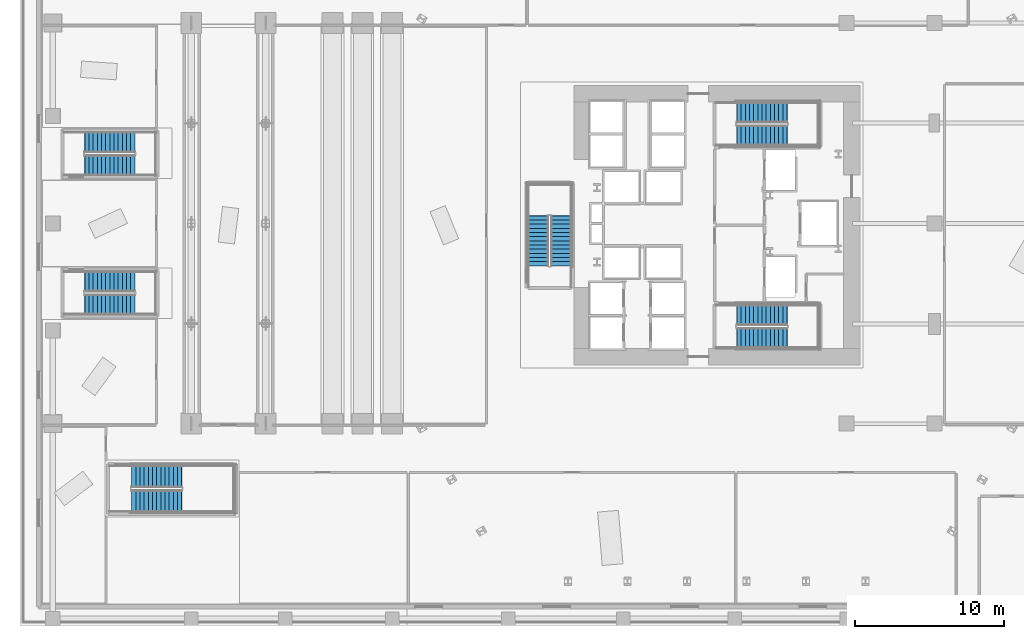
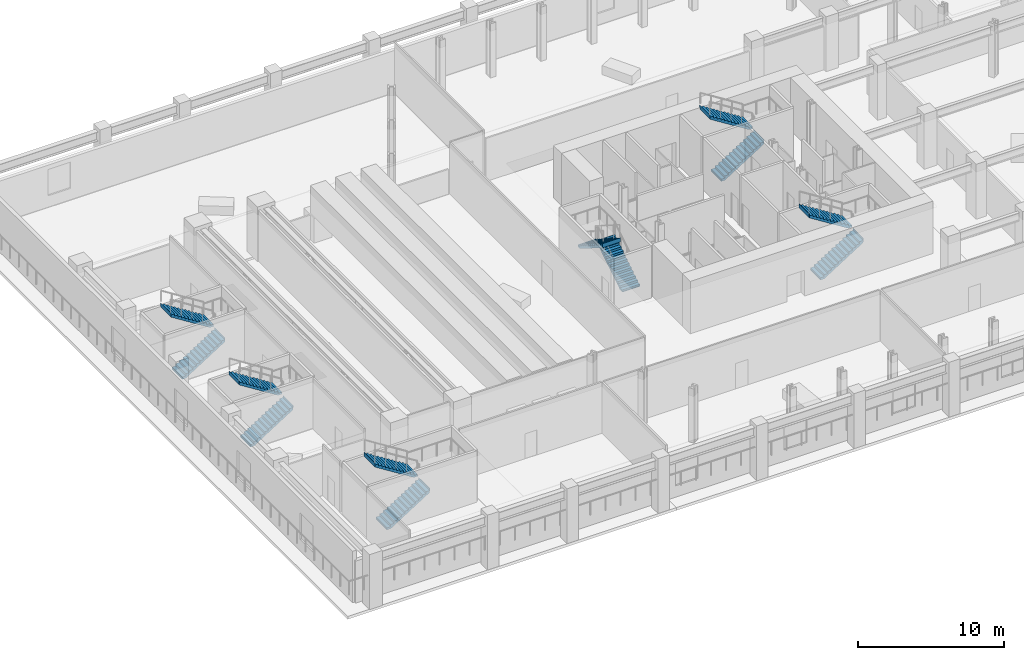
# One storey, part 12 of 24: 12 stair flights, 6 elements without a shape of their own.
"""IFC4 building model written with IfcOpenShell, lengths in metres."""

from ifc_helpers import new_model, si_unit, direction, frame, origin, place, context, subcontext, project, spatial, polyline, outline, extrude, material, type_object, element, aggregate, save


model = new_model("IFC4")

# Units and contexts
model_context = context("Model", 3, precision=1e-05, world=origin(), true_north=direction((0.0, 1.0)))
body_context = subcontext(model_context, "Body", "Model", "MODEL_VIEW")
ifc_project = project(units=[si_unit("LENGTHUNIT", "METRE"), si_unit("AREAUNIT", "SQUARE_METRE"), si_unit("VOLUMEUNIT", "CUBIC_METRE"), si_unit("PLANEANGLEUNIT", "RADIAN"), si_unit("MASSUNIT", "GRAM", prefix="KILO")], contexts=[model_context])

# Site, building, storey
site_placement = place(None, origin())
site = spatial("IfcSite", under=ifc_project, at=site_placement, CompositionType="ELEMENT")
building_placement = place(site_placement, origin())
building = spatial("IfcBuilding", under=site, at=building_placement, Name="Valkerne Bourse Tower", CompositionType="ELEMENT")
storey_placement = place(building_placement, frame((0.0, 0.0, 19.39990234375)))
storey = spatial("IfcBuildingStorey", under=building, at=storey_placement, Name="L04", CompositionType="ELEMENT", Elevation=19.39990234375)

# Stair, stair flights
ifc_material_1 = material(Name="Concrete C40/50", Category="concrete")
stair_type_1 = type_object("IfcStairType", Name="ST-CORE-1400", PredefinedType="HALF_TURN_STAIR", material=ifc_material_1)
stair_1_placement = place(storey_placement, origin())
stair_1 = element("IfcStair", 1, at=stair_1_placement, inside=storey, type_object=stair_type_1, Name="L04 ST-1", PredefinedType="HALF_TURN_STAIR")
stair_flight_type_1 = type_object("IfcStairFlightType", Name="STF-CORE-1400", PredefinedType="STRAIGHT", material=ifc_material_1)
stair_flight_1_placement = place(storey_placement, frame((48.14990234375, 19.300048828125, 0.0), z_axis=(0.0, 0.0, 1.0), x_axis=(1.0, 0.0, 0.0)))
stair_flight_1 = element("IfcStairFlight", 2, at=stair_flight_1_placement, type_object=stair_flight_type_1, Name="ST-1 flight 1", NumberOfRisers=13, NumberOfTreads=12, PredefinedType="STRAIGHT", RiserHeight=0.176923077, TreadLength=0.28, context=body_context, shape_type="SweptSolid", body=[
    extrude(outline(polyline([(-0.02001953125, 0.0), (-0.02001953125, 0.044921875), (0.0, 0.044921875), (0.0, 0.177001953125), (0.280029296875, 0.177001953125), (0.280029296875, 0.353759765625), (0.56005859375, 0.353759765625), (0.56005859375, 0.53076171875), (0.840087890625, 0.53076171875), (0.840087890625, 0.707763671875), (1.1201171875, 0.707763671875), (1.1201171875, 0.884521484375), (1.39990234375, 0.884521484375), (1.39990234375, 1.0615234375), (1.679931640625, 1.0615234375), (1.679931640625, 1.238525390625), (1.9599609375, 1.238525390625), (1.9599609375, 1.415283203125), (2.239990234375, 1.415283203125), (2.239990234375, 1.59228515625), (2.52001953125, 1.59228515625), (2.52001953125, 1.769287109375), (2.800048828125, 1.769287109375), (2.800048828125, 1.946044921875), (3.080078125, 1.946044921875), (3.080078125, 2.123046875), (3.360107421875, 2.123046875), (3.360107421875, 2.300048828125), (3.3798828125, 2.300048828125), (3.3798828125, 2.179931640625), (3.360107421875, 1.94580078125), (0.280517578125, 0.0), (-0.02001953125, 0.0)])), frame((0.0, 0.699951171875, 0.0), z_axis=(0.0, -1.0, 0.0), x_axis=(1.0, 0.0, 0.0)), (0.0, 0.0, 1.0), 1.39990234375),
])
stair_flight_2_placement = place(storey_placement, frame((51.510009765625, 20.85009765625, 2.300048828125), z_axis=(0.0, 0.0, 1.0), x_axis=(-1.0, 0.0, 0.0)))
stair_flight_2 = element("IfcStairFlight", 3, at=stair_flight_2_placement, type_object=stair_flight_type_1, Name="ST-1 flight 2", NumberOfRisers=13, NumberOfTreads=12, PredefinedType="STRAIGHT", RiserHeight=0.176923077, TreadLength=0.28, context=body_context, shape_type="SweptSolid", body=[
    extrude(outline(polyline([(-0.02001953125, 0.0), (-0.02001953125, 0.044921875), (0.0, 0.044921875), (0.0, 0.177001953125), (0.280029296875, 0.177001953125), (0.280029296875, 0.353759765625), (0.56005859375, 0.353759765625), (0.56005859375, 0.53076171875), (0.840087890625, 0.53076171875), (0.840087890625, 0.707763671875), (1.1201171875, 0.707763671875), (1.1201171875, 0.884521484375), (1.39990234375, 0.884521484375), (1.39990234375, 1.0615234375), (1.679931640625, 1.0615234375), (1.679931640625, 1.238525390625), (1.9599609375, 1.238525390625), (1.9599609375, 1.415283203125), (2.239990234375, 1.415283203125), (2.239990234375, 1.59228515625), (2.52001953125, 1.59228515625), (2.52001953125, 1.769287109375), (2.800048828125, 1.769287109375), (2.800048828125, 1.946044921875), (3.080078125, 1.946044921875), (3.080078125, 2.123046875), (3.360107421875, 2.123046875), (3.360107421875, 2.300048828125), (3.3798828125, 2.300048828125), (3.3798828125, 2.179931640625), (3.360107421875, 1.94580078125), (0.280517578125, 0.0), (-0.02001953125, 0.0)])), frame((0.0, 0.699951171875, 0.0), z_axis=(0.0, -1.0, 0.0), x_axis=(1.0, 0.0, 0.0)), (0.0, 0.0, 1.0), 1.39990234375),
])
aggregate(stair_1, [stair_flight_1, stair_flight_2])

stair_2_placement = place(storey_placement, origin())
stair_2 = element("IfcStair", 4, at=stair_2_placement, inside=storey, type_object=stair_type_1, Name="L04 ST-2", PredefinedType="HALF_TURN_STAIR")
stair_flight_3_placement = place(storey_placement, frame((48.14990234375, 32.89990234375, 0.0), z_axis=(0.0, 0.0, 1.0), x_axis=(1.0, 0.0, 0.0)))
stair_flight_3 = element("IfcStairFlight", 5, at=stair_flight_3_placement, type_object=stair_flight_type_1, Name="ST-2 flight 1", NumberOfRisers=13, NumberOfTreads=12, PredefinedType="STRAIGHT", RiserHeight=0.176923077, TreadLength=0.28, context=body_context, shape_type="SweptSolid", body=[
    extrude(outline(polyline([(-0.02001953125, 0.0), (-0.02001953125, 0.044921875), (0.0, 0.044921875), (0.0, 0.177001953125), (0.280029296875, 0.177001953125), (0.280029296875, 0.353759765625), (0.56005859375, 0.353759765625), (0.56005859375, 0.53076171875), (0.840087890625, 0.53076171875), (0.840087890625, 0.707763671875), (1.1201171875, 0.707763671875), (1.1201171875, 0.884521484375), (1.39990234375, 0.884521484375), (1.39990234375, 1.0615234375), (1.679931640625, 1.0615234375), (1.679931640625, 1.238525390625), (1.9599609375, 1.238525390625), (1.9599609375, 1.415283203125), (2.239990234375, 1.415283203125), (2.239990234375, 1.59228515625), (2.52001953125, 1.59228515625), (2.52001953125, 1.769287109375), (2.800048828125, 1.769287109375), (2.800048828125, 1.946044921875), (3.080078125, 1.946044921875), (3.080078125, 2.123046875), (3.360107421875, 2.123046875), (3.360107421875, 2.300048828125), (3.3798828125, 2.300048828125), (3.3798828125, 2.179931640625), (3.360107421875, 1.94580078125), (0.280517578125, 0.0), (-0.02001953125, 0.0)])), frame((0.0, 0.699951171875, 0.0), z_axis=(0.0, -1.0, 0.0), x_axis=(1.0, 0.0, 0.0)), (0.0, 0.0, 1.0), 1.39990234375),
])
stair_flight_4_placement = place(storey_placement, frame((51.510009765625, 34.449951171875, 2.300048828125), z_axis=(0.0, 0.0, 1.0), x_axis=(-1.0, 0.0, 0.0)))
stair_flight_4 = element("IfcStairFlight", 6, at=stair_flight_4_placement, type_object=stair_flight_type_1, Name="ST-2 flight 2", NumberOfRisers=13, NumberOfTreads=12, PredefinedType="STRAIGHT", RiserHeight=0.176923077, TreadLength=0.28, context=body_context, shape_type="SweptSolid", body=[
    extrude(outline(polyline([(-0.02001953125, 0.0), (-0.02001953125, 0.044921875), (0.0, 0.044921875), (0.0, 0.177001953125), (0.280029296875, 0.177001953125), (0.280029296875, 0.353759765625), (0.56005859375, 0.353759765625), (0.56005859375, 0.53076171875), (0.840087890625, 0.53076171875), (0.840087890625, 0.707763671875), (1.1201171875, 0.707763671875), (1.1201171875, 0.884521484375), (1.39990234375, 0.884521484375), (1.39990234375, 1.0615234375), (1.679931640625, 1.0615234375), (1.679931640625, 1.238525390625), (1.9599609375, 1.238525390625), (1.9599609375, 1.415283203125), (2.239990234375, 1.415283203125), (2.239990234375, 1.59228515625), (2.52001953125, 1.59228515625), (2.52001953125, 1.769287109375), (2.800048828125, 1.769287109375), (2.800048828125, 1.946044921875), (3.080078125, 1.946044921875), (3.080078125, 2.123046875), (3.360107421875, 2.123046875), (3.360107421875, 2.300048828125), (3.3798828125, 2.300048828125), (3.3798828125, 2.179931640625), (3.360107421875, 1.94580078125), (0.280517578125, 0.0), (-0.02001953125, 0.0)])), frame((0.0, 0.699951171875, 0.0), z_axis=(0.0, -1.0, 0.0), x_axis=(1.0, 0.0, 0.0)), (0.0, 0.0, 1.0), 1.39990234375),
])
aggregate(stair_2, [stair_flight_3, stair_flight_4])

stair_3_placement = place(storey_placement, origin())
stair_3 = element("IfcStair", 7, at=stair_3_placement, inside=storey, type_object=stair_type_1, Name="L04 ST-3", PredefinedType="HALF_TURN_STAIR")
stair_flight_5_placement = place(storey_placement, frame((36.35009765625, 24.14990234375, 0.0), z_axis=(0.0, 0.0, 1.0), x_axis=(0.0, 1.0, 0.0)))
stair_flight_5 = element("IfcStairFlight", 8, at=stair_flight_5_placement, type_object=stair_flight_type_1, Name="ST-3 flight 1", NumberOfRisers=13, NumberOfTreads=12, PredefinedType="STRAIGHT", RiserHeight=0.176923077, TreadLength=0.28, context=body_context, shape_type="SweptSolid", body=[
    extrude(outline(polyline([(-0.02001953125, 0.0), (-0.02001953125, 0.044921875), (0.0, 0.044921875), (0.0, 0.177001953125), (0.280029296875, 0.177001953125), (0.280029296875, 0.353759765625), (0.56005859375, 0.353759765625), (0.56005859375, 0.53076171875), (0.840087890625, 0.53076171875), (0.840087890625, 0.707763671875), (1.1201171875, 0.707763671875), (1.1201171875, 0.884521484375), (1.39990234375, 0.884521484375), (1.39990234375, 1.0615234375), (1.679931640625, 1.0615234375), (1.679931640625, 1.238525390625), (1.9599609375, 1.238525390625), (1.9599609375, 1.415283203125), (2.239990234375, 1.415283203125), (2.239990234375, 1.59228515625), (2.52001953125, 1.59228515625), (2.52001953125, 1.769287109375), (2.800048828125, 1.769287109375), (2.800048828125, 1.946044921875), (3.080078125, 1.946044921875), (3.080078125, 2.123046875), (3.360107421875, 2.123046875), (3.360107421875, 2.300048828125), (3.3798828125, 2.300048828125), (3.3798828125, 2.179931640625), (3.360107421875, 1.94580078125), (0.280517578125, 0.0), (-0.02001953125, 0.0)])), frame((0.0, 0.699951171875, 0.0), z_axis=(0.0, -1.0, 0.0), x_axis=(1.0, 0.0, 0.0)), (0.0, 0.0, 1.0), 1.39990234375),
])
stair_flight_6_placement = place(storey_placement, frame((34.800048828125, 27.510009765625, 2.300048828125), z_axis=(0.0, 0.0, 1.0), x_axis=(0.0, -1.0, 0.0)))
stair_flight_6 = element("IfcStairFlight", 9, at=stair_flight_6_placement, type_object=stair_flight_type_1, Name="ST-3 flight 2", NumberOfRisers=13, NumberOfTreads=12, PredefinedType="STRAIGHT", RiserHeight=0.176923077, TreadLength=0.28, context=body_context, shape_type="SweptSolid", body=[
    extrude(outline(polyline([(-0.02001953125, 0.0), (-0.02001953125, 0.044921875), (0.0, 0.044921875), (0.0, 0.177001953125), (0.280029296875, 0.177001953125), (0.280029296875, 0.353759765625), (0.56005859375, 0.353759765625), (0.56005859375, 0.53076171875), (0.840087890625, 0.53076171875), (0.840087890625, 0.707763671875), (1.1201171875, 0.707763671875), (1.1201171875, 0.884521484375), (1.39990234375, 0.884521484375), (1.39990234375, 1.0615234375), (1.679931640625, 1.0615234375), (1.679931640625, 1.238525390625), (1.9599609375, 1.238525390625), (1.9599609375, 1.415283203125), (2.239990234375, 1.415283203125), (2.239990234375, 1.59228515625), (2.52001953125, 1.59228515625), (2.52001953125, 1.769287109375), (2.800048828125, 1.769287109375), (2.800048828125, 1.946044921875), (3.080078125, 1.946044921875), (3.080078125, 2.123046875), (3.360107421875, 2.123046875), (3.360107421875, 2.300048828125), (3.3798828125, 2.300048828125), (3.3798828125, 2.179931640625), (3.360107421875, 1.94580078125), (0.280517578125, 0.0), (-0.02001953125, 0.0)])), frame((0.0, 0.699951171875, 0.0), z_axis=(0.0, -1.0, 0.0), x_axis=(1.0, 0.0, 0.0)), (0.0, 0.0, 1.0), 1.39990234375),
])
aggregate(stair_3, [stair_flight_5, stair_flight_6])

ifc_material_2 = material(Name="Indiana Limestone Cladding", Category="masonry")
stair_type_2 = type_object("IfcStairType", Name="ST-GDN-1300", PredefinedType="HALF_TURN_STAIR", material=ifc_material_2)
stair_4_placement = place(storey_placement, origin())
stair_4 = element("IfcStair", 10, at=stair_4_placement, inside=storey, type_object=stair_type_2, Name="L04 ST-G1", PredefinedType="HALF_TURN_STAIR")
stair_flight_type_2 = type_object("IfcStairFlightType", Name="STF-GDN-1300", PredefinedType="STRAIGHT", material=ifc_material_2)
stair_flight_7_placement = place(storey_placement, frame((4.35009765625, 21.550048828125, 0.0), z_axis=(0.0, 0.0, 1.0), x_axis=(1.0, 0.0, 0.0)))
stair_flight_7 = element("IfcStairFlight", 11, at=stair_flight_7_placement, type_object=stair_flight_type_2, Name="ST-G1 flight 1", NumberOfRisers=13, NumberOfTreads=12, PredefinedType="STRAIGHT", RiserHeight=0.176923077, TreadLength=0.28, context=body_context, shape_type="SweptSolid", body=[
    extrude(outline(polyline([(-0.02001953125, 0.0), (-0.02001953125, 0.044921875), (0.0, 0.044921875), (0.0, 0.177001953125), (0.280029296875, 0.177001953125), (0.280029296875, 0.353759765625), (0.56005859375, 0.353759765625), (0.56005859375, 0.53076171875), (0.840087890625, 0.53076171875), (0.840087890625, 0.707763671875), (1.1201171875, 0.707763671875), (1.1201171875, 0.884521484375), (1.39990234375, 0.884521484375), (1.39990234375, 1.0615234375), (1.679931640625, 1.0615234375), (1.679931640625, 1.238525390625), (1.9599609375, 1.238525390625), (1.9599609375, 1.415283203125), (2.239990234375, 1.415283203125), (2.239990234375, 1.59228515625), (2.52001953125, 1.59228515625), (2.52001953125, 1.769287109375), (2.800048828125, 1.769287109375), (2.800048828125, 1.946044921875), (3.080078125, 1.946044921875), (3.080078125, 2.123046875), (3.360107421875, 2.123046875), (3.360107421875, 2.300048828125), (3.3798828125, 2.300048828125), (3.3798828125, 2.179931640625), (3.360107421875, 1.94580078125), (0.280517578125, 0.0), (-0.02001953125, 0.0)])), frame((0.0, 0.699951171875, 0.0), z_axis=(0.0, -1.0, 0.0), x_axis=(1.0, 0.0, 0.0)), (0.0, 0.0, 1.0), 1.39990234375),
])
stair_flight_8_placement = place(storey_placement, frame((7.7099609375, 23.10009765625, 2.300048828125), z_axis=(0.0, 0.0, 1.0), x_axis=(-1.0, 0.0, 0.0)))
stair_flight_8 = element("IfcStairFlight", 12, at=stair_flight_8_placement, type_object=stair_flight_type_2, Name="ST-G1 flight 2", NumberOfRisers=13, NumberOfTreads=12, PredefinedType="STRAIGHT", RiserHeight=0.176923077, TreadLength=0.28, context=body_context, shape_type="SweptSolid", body=[
    extrude(outline(polyline([(-0.02001953125, 0.0), (-0.02001953125, 0.044921875), (0.0, 0.044921875), (0.0, 0.177001953125), (0.280029296875, 0.177001953125), (0.280029296875, 0.353759765625), (0.56005859375, 0.353759765625), (0.56005859375, 0.53076171875), (0.840087890625, 0.53076171875), (0.840087890625, 0.707763671875), (1.1201171875, 0.707763671875), (1.1201171875, 0.884521484375), (1.39990234375, 0.884521484375), (1.39990234375, 1.0615234375), (1.679931640625, 1.0615234375), (1.679931640625, 1.238525390625), (1.9599609375, 1.238525390625), (1.9599609375, 1.415283203125), (2.239990234375, 1.415283203125), (2.239990234375, 1.59228515625), (2.52001953125, 1.59228515625), (2.52001953125, 1.769287109375), (2.800048828125, 1.769287109375), (2.800048828125, 1.946044921875), (3.080078125, 1.946044921875), (3.080078125, 2.123046875), (3.360107421875, 2.123046875), (3.360107421875, 2.300048828125), (3.3798828125, 2.300048828125), (3.3798828125, 2.179931640625), (3.360107421875, 1.94580078125), (0.280517578125, 0.0), (-0.02001953125, 0.0)])), frame((0.0, 0.699951171875, 0.0), z_axis=(0.0, -1.0, 0.0), x_axis=(1.0, 0.0, 0.0)), (0.0, 0.0, 1.0), 1.39990234375),
])
aggregate(stair_4, [stair_flight_7, stair_flight_8])

stair_5_placement = place(storey_placement, origin())
stair_5 = element("IfcStair", 13, at=stair_5_placement, inside=storey, type_object=stair_type_2, Name="L04 ST-G2", PredefinedType="HALF_TURN_STAIR")
stair_flight_9_placement = place(storey_placement, frame((4.35009765625, 30.89990234375, 0.0), z_axis=(0.0, 0.0, 1.0), x_axis=(1.0, 0.0, 0.0)))
stair_flight_9 = element("IfcStairFlight", 14, at=stair_flight_9_placement, type_object=stair_flight_type_2, Name="ST-G2 flight 1", NumberOfRisers=13, NumberOfTreads=12, PredefinedType="STRAIGHT", RiserHeight=0.176923077, TreadLength=0.28, context=body_context, shape_type="SweptSolid", body=[
    extrude(outline(polyline([(-0.02001953125, 0.0), (-0.02001953125, 0.044921875), (0.0, 0.044921875), (0.0, 0.177001953125), (0.280029296875, 0.177001953125), (0.280029296875, 0.353759765625), (0.56005859375, 0.353759765625), (0.56005859375, 0.53076171875), (0.840087890625, 0.53076171875), (0.840087890625, 0.707763671875), (1.1201171875, 0.707763671875), (1.1201171875, 0.884521484375), (1.39990234375, 0.884521484375), (1.39990234375, 1.0615234375), (1.679931640625, 1.0615234375), (1.679931640625, 1.238525390625), (1.9599609375, 1.238525390625), (1.9599609375, 1.415283203125), (2.239990234375, 1.415283203125), (2.239990234375, 1.59228515625), (2.52001953125, 1.59228515625), (2.52001953125, 1.769287109375), (2.800048828125, 1.769287109375), (2.800048828125, 1.946044921875), (3.080078125, 1.946044921875), (3.080078125, 2.123046875), (3.360107421875, 2.123046875), (3.360107421875, 2.300048828125), (3.3798828125, 2.300048828125), (3.3798828125, 2.179931640625), (3.360107421875, 1.94580078125), (0.280517578125, 0.0), (-0.02001953125, 0.0)])), frame((0.0, 0.699951171875, 0.0), z_axis=(0.0, -1.0, 0.0), x_axis=(1.0, 0.0, 0.0)), (0.0, 0.0, 1.0), 1.39990234375),
])
stair_flight_10_placement = place(storey_placement, frame((7.7099609375, 32.449951171875, 2.300048828125), z_axis=(0.0, 0.0, 1.0), x_axis=(-1.0, 0.0, 0.0)))
stair_flight_10 = element("IfcStairFlight", 15, at=stair_flight_10_placement, type_object=stair_flight_type_2, Name="ST-G2 flight 2", NumberOfRisers=13, NumberOfTreads=12, PredefinedType="STRAIGHT", RiserHeight=0.176923077, TreadLength=0.28, context=body_context, shape_type="SweptSolid", body=[
    extrude(outline(polyline([(-0.02001953125, 0.0), (-0.02001953125, 0.044921875), (0.0, 0.044921875), (0.0, 0.177001953125), (0.280029296875, 0.177001953125), (0.280029296875, 0.353759765625), (0.56005859375, 0.353759765625), (0.56005859375, 0.53076171875), (0.840087890625, 0.53076171875), (0.840087890625, 0.707763671875), (1.1201171875, 0.707763671875), (1.1201171875, 0.884521484375), (1.39990234375, 0.884521484375), (1.39990234375, 1.0615234375), (1.679931640625, 1.0615234375), (1.679931640625, 1.238525390625), (1.9599609375, 1.238525390625), (1.9599609375, 1.415283203125), (2.239990234375, 1.415283203125), (2.239990234375, 1.59228515625), (2.52001953125, 1.59228515625), (2.52001953125, 1.769287109375), (2.800048828125, 1.769287109375), (2.800048828125, 1.946044921875), (3.080078125, 1.946044921875), (3.080078125, 2.123046875), (3.360107421875, 2.123046875), (3.360107421875, 2.300048828125), (3.3798828125, 2.300048828125), (3.3798828125, 2.179931640625), (3.360107421875, 1.94580078125), (0.280517578125, 0.0), (-0.02001953125, 0.0)])), frame((0.0, 0.699951171875, 0.0), z_axis=(0.0, -1.0, 0.0), x_axis=(1.0, 0.0, 0.0)), (0.0, 0.0, 1.0), 1.39990234375),
])
aggregate(stair_5, [stair_flight_9, stair_flight_10])

stair_type_3 = type_object("IfcStairType", Name="ST-POD-1500", PredefinedType="HALF_TURN_STAIR", material=ifc_material_1)
stair_6_placement = place(storey_placement, origin())
stair_6 = element("IfcStair", 16, at=stair_6_placement, inside=storey, type_object=stair_type_3, Name="L04 ST-P1", PredefinedType="HALF_TURN_STAIR")
stair_flight_type_3 = type_object("IfcStairFlightType", Name="STF-POD-1500", PredefinedType="STRAIGHT", material=ifc_material_1)
stair_flight_11_placement = place(storey_placement, frame((7.5, 8.35009765625, 0.0), z_axis=(0.0, 0.0, 1.0), x_axis=(1.0, 0.0, 0.0)))
stair_flight_11 = element("IfcStairFlight", 17, at=stair_flight_11_placement, type_object=stair_flight_type_3, Name="ST-P1 flight 1", NumberOfRisers=13, NumberOfTreads=12, PredefinedType="STRAIGHT", RiserHeight=0.176923077, TreadLength=0.28, context=body_context, shape_type="SweptSolid", body=[
    extrude(outline(polyline([(-0.02001953125, 0.0), (-0.02001953125, 0.044921875), (0.0, 0.044921875), (0.0, 0.177001953125), (0.280029296875, 0.177001953125), (0.280029296875, 0.353759765625), (0.56005859375, 0.353759765625), (0.56005859375, 0.53076171875), (0.840087890625, 0.53076171875), (0.840087890625, 0.707763671875), (1.1201171875, 0.707763671875), (1.1201171875, 0.884521484375), (1.39990234375, 0.884521484375), (1.39990234375, 1.0615234375), (1.679931640625, 1.0615234375), (1.679931640625, 1.238525390625), (1.9599609375, 1.238525390625), (1.9599609375, 1.415283203125), (2.239990234375, 1.415283203125), (2.239990234375, 1.59228515625), (2.52001953125, 1.59228515625), (2.52001953125, 1.769287109375), (2.800048828125, 1.769287109375), (2.800048828125, 1.946044921875), (3.080078125, 1.946044921875), (3.080078125, 2.123046875), (3.360107421875, 2.123046875), (3.360107421875, 2.300048828125), (3.3798828125, 2.300048828125), (3.3798828125, 2.179931640625), (3.360107421875, 1.94580078125), (0.280517578125, 0.0), (-0.02001953125, 0.0)])), frame((0.0, 0.75, 0.0), z_axis=(0.0, -1.0, 0.0), x_axis=(1.0, 0.0, 0.0)), (0.0, 0.0, 1.0), 1.5),
])
stair_flight_12_placement = place(storey_placement, frame((10.860107421875, 10.0, 2.300048828125), z_axis=(0.0, 0.0, 1.0), x_axis=(-1.0, 0.0, 0.0)))
stair_flight_12 = element("IfcStairFlight", 18, at=stair_flight_12_placement, type_object=stair_flight_type_3, Name="ST-P1 flight 2", NumberOfRisers=13, NumberOfTreads=12, PredefinedType="STRAIGHT", RiserHeight=0.176923077, TreadLength=0.28, context=body_context, shape_type="SweptSolid", body=[
    extrude(outline(polyline([(-0.02001953125, 0.0), (-0.02001953125, 0.044921875), (0.0, 0.044921875), (0.0, 0.177001953125), (0.280029296875, 0.177001953125), (0.280029296875, 0.353759765625), (0.56005859375, 0.353759765625), (0.56005859375, 0.53076171875), (0.840087890625, 0.53076171875), (0.840087890625, 0.707763671875), (1.1201171875, 0.707763671875), (1.1201171875, 0.884521484375), (1.39990234375, 0.884521484375), (1.39990234375, 1.0615234375), (1.679931640625, 1.0615234375), (1.679931640625, 1.238525390625), (1.9599609375, 1.238525390625), (1.9599609375, 1.415283203125), (2.239990234375, 1.415283203125), (2.239990234375, 1.59228515625), (2.52001953125, 1.59228515625), (2.52001953125, 1.769287109375), (2.800048828125, 1.769287109375), (2.800048828125, 1.946044921875), (3.080078125, 1.946044921875), (3.080078125, 2.123046875), (3.360107421875, 2.123046875), (3.360107421875, 2.300048828125), (3.3798828125, 2.300048828125), (3.3798828125, 2.179931640625), (3.360107421875, 1.94580078125), (0.280517578125, 0.0), (-0.02001953125, 0.0)])), frame((0.0, 0.75, 0.0), z_axis=(0.0, -1.0, 0.0), x_axis=(1.0, 0.0, 0.0)), (0.0, 0.0, 1.0), 1.5),
])
aggregate(stair_6, [stair_flight_11, stair_flight_12])

save(model, "model.ifc")
